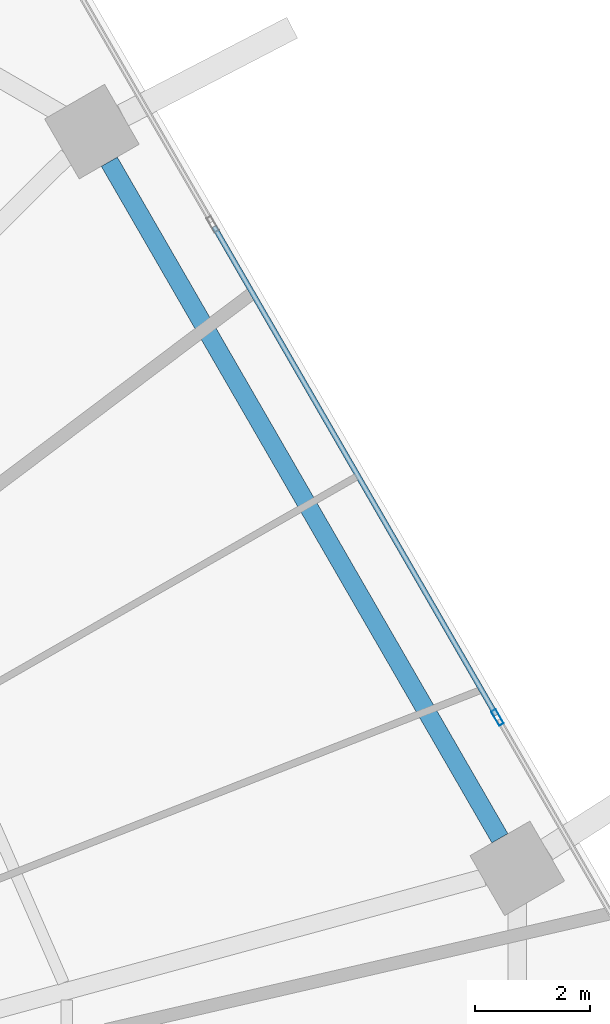
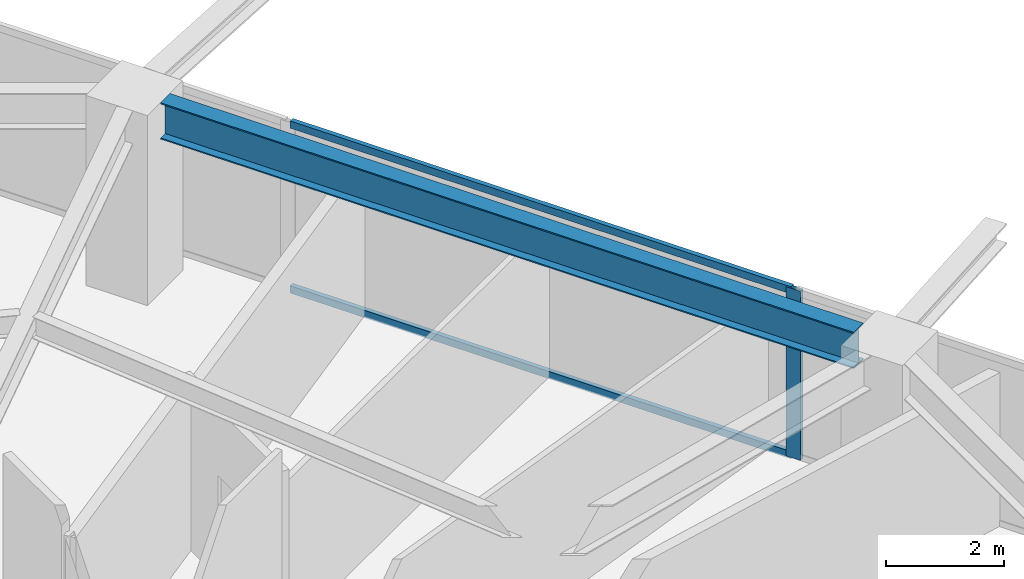
# One storey, part 17 of 25: 3 members, 1 beam, 1 element without a shape of its own.
"""IFC4 building model written with IfcOpenShell, lengths in metres."""

from ifc_helpers import new_model, si_unit, direction, frame, origin, origin_2d, place, context, subcontext, project, spatial, hollow_rectangle, i_section, extrude, material, material_profile, profile_set, type_object, element, aggregate, save


model = new_model("IFC4")

# Units and contexts
model_context = context("Model", 3, precision=1e-05, world=origin(), true_north=direction((0.0, 1.0)))
body_context = subcontext(model_context, "Body", "Model", "MODEL_VIEW")
ifc_project = project(units=[si_unit("LENGTHUNIT", "METRE"), si_unit("AREAUNIT", "SQUARE_METRE"), si_unit("VOLUMEUNIT", "CUBIC_METRE"), si_unit("PLANEANGLEUNIT", "RADIAN"), si_unit("MASSUNIT", "GRAM", prefix="KILO")], contexts=[model_context])

# Site, building, storey
site_placement = place(None, origin())
site = spatial("IfcSite", under=ifc_project, at=site_placement, CompositionType="ELEMENT")
building_placement = place(site_placement, origin())
building = spatial("IfcBuilding", under=site, at=building_placement, Name="Zuhravey Tower", CompositionType="ELEMENT")
storey_placement = place(building_placement, frame((0.0, 0.0, 45.60009765625)))
storey = spatial("IfcBuildingStorey", under=building, at=storey_placement, Name="L11", CompositionType="ELEMENT", Elevation=45.60009765625)

# Curtain wall, members
ifc_material_1 = material(Name="Thermally broken anodised aluminium", Category="aluminium")
curtain_wall_type = type_object("IfcCurtainWallType", Name="School Low-E Unitised Curtain Wall CW1", PredefinedType="NOTDEFINED", material=ifc_material_1)
curtain_wall_placement = place(storey_placement, origin())
curtain_wall = element("IfcCurtainWall", 1, at=curtain_wall_placement, inside=storey, type_object=curtain_wall_type, Name="L11 CW1 CW-L11-F1-1", PredefinedType="NOTDEFINED")
ifc_material_2 = material(Name="Anodised aluminium", Category="aluminium")
ifc_material_profile_1 = material_profile(ifc_material_2, hollow_rectangle(XDim=0.090087890625, YDim=0.284912109375, WallThickness=0.0048828125, at=origin_2d()), Name="ALU-RHS-90x285x5")
ifc_profile_set_1 = profile_set([ifc_material_profile_1], Name="Anodised aluminium")
member_type_1 = type_object("IfcMemberType", Name="Curtain-Wall Mullion 90x180", PredefinedType="MULLION", material=ifc_profile_set_1)
member_1_placement = place(storey_placement, frame((63.54541015625, 42.20703125, 0.0), z_axis=(0.0, 0.0, 1.0), x_axis=(0.86602552265, 0.499999794119, 0.0)))
member_1 = element("IfcMember", 2, at=member_1_placement, type_object=member_type_1, Name="CW1 mullion 3", PredefinedType="MULLION", context=body_context, shape_type="SweptSolid", body=[
    extrude(hollow_rectangle(XDim=0.090087890625, YDim=0.284912109375, WallThickness=0.0048828125, at=origin_2d()), origin(), (0.0, 0.0, 1.0), 3.491943359375),
])
ifc_material_profile_2 = material_profile(ifc_material_2, hollow_rectangle(XDim=0.090087890625, YDim=0.14990234375, WallThickness=0.0048828125, at=origin_2d()), Name="ALU-RHS-90x150x5")
ifc_profile_set_2 = profile_set([ifc_material_profile_2], Name="Anodised aluminium")
member_type_2 = type_object("IfcMemberType", Name="Curtain-Wall Transom 90x150", PredefinedType="USERDEFINED", material=ifc_profile_set_2)
member_2_placement = place(storey_placement, frame((58.634765625, 50.712646484375, 0.044921875), z_axis=(0.499990498062, -0.866030889661, 0.0), x_axis=(0.866030889661, 0.499990498062, 0.0)))
member_2 = element("IfcMember", 3, at=member_2_placement, type_object=member_type_2, Name="CW1 transom 2.1", ObjectType="TRANSOM", PredefinedType="USERDEFINED", context=body_context, shape_type="SweptSolid", body=[
    extrude(hollow_rectangle(XDim=0.090087890625, YDim=0.14990234375, WallThickness=0.0048828125, at=origin_2d()), origin(), (0.0, 0.0, 1.0), 9.776611328125),
])
member_3_placement = place(storey_placement, frame((58.634765625, 50.712646484375, 3.447021484375), z_axis=(0.499990498062, -0.866030889661, 0.0), x_axis=(0.866030889661, 0.499990498062, 0.0)))
member_3 = element("IfcMember", 4, at=member_3_placement, type_object=member_type_2, Name="CW1 transom 2.2", ObjectType="TRANSOM", PredefinedType="USERDEFINED", context=body_context, shape_type="SweptSolid", body=[
    extrude(hollow_rectangle(XDim=0.090087890625, YDim=0.14990234375, WallThickness=0.0048828125, at=origin_2d()), origin(), (0.0, 0.0, 1.0), 9.776611328125),
])
aggregate(curtain_wall, [member_1, member_2, member_3])

# Beam
ifc_material_3 = material(Name="Steel SM355", Category="steel")
ifc_material_profile_3 = material_profile(ifc_material_3, i_section(OverallWidth=0.320068359375, OverallDepth=0.75, WebThickness=0.013916015625, FlangeThickness=0.02490234375, at=origin_2d()), Name="H-750x320x14x25")
ifc_profile_set_3 = profile_set([ifc_material_profile_3], Name="Steel SM355")
beam_type = type_object("IfcBeamType", Name="Perimeter Ring Beam H750x320", PredefinedType="BEAM", material=ifc_profile_set_3)
beam_placement = place(storey_placement, frame((63.587646484375, 40.11376953125, 3.544921875), z_axis=(-0.499999877243, 0.866025474658, 0.0), x_axis=(-0.866025474658, -0.499999877243, 0.0)))
element("IfcBeam", 5, at=beam_placement, inside=storey, type_object=beam_type, Name="L11 PB1 BM-L11-PB-01", PredefinedType="BEAM", context=body_context, shape_type="SweptSolid", body=[
    extrude(i_section(OverallWidth=0.320068359375, OverallDepth=0.75, WebThickness=0.013916015625, FlangeThickness=0.02490234375, at=origin_2d()), origin(), (0.0, 0.0, 1.0), 13.5341796875),
])

save(model, "model.ifc")
